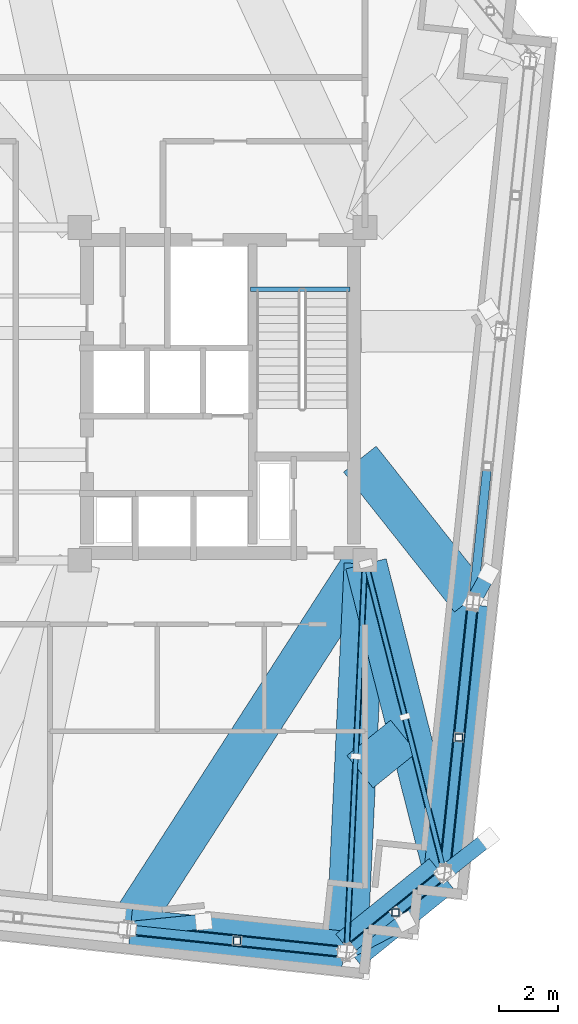
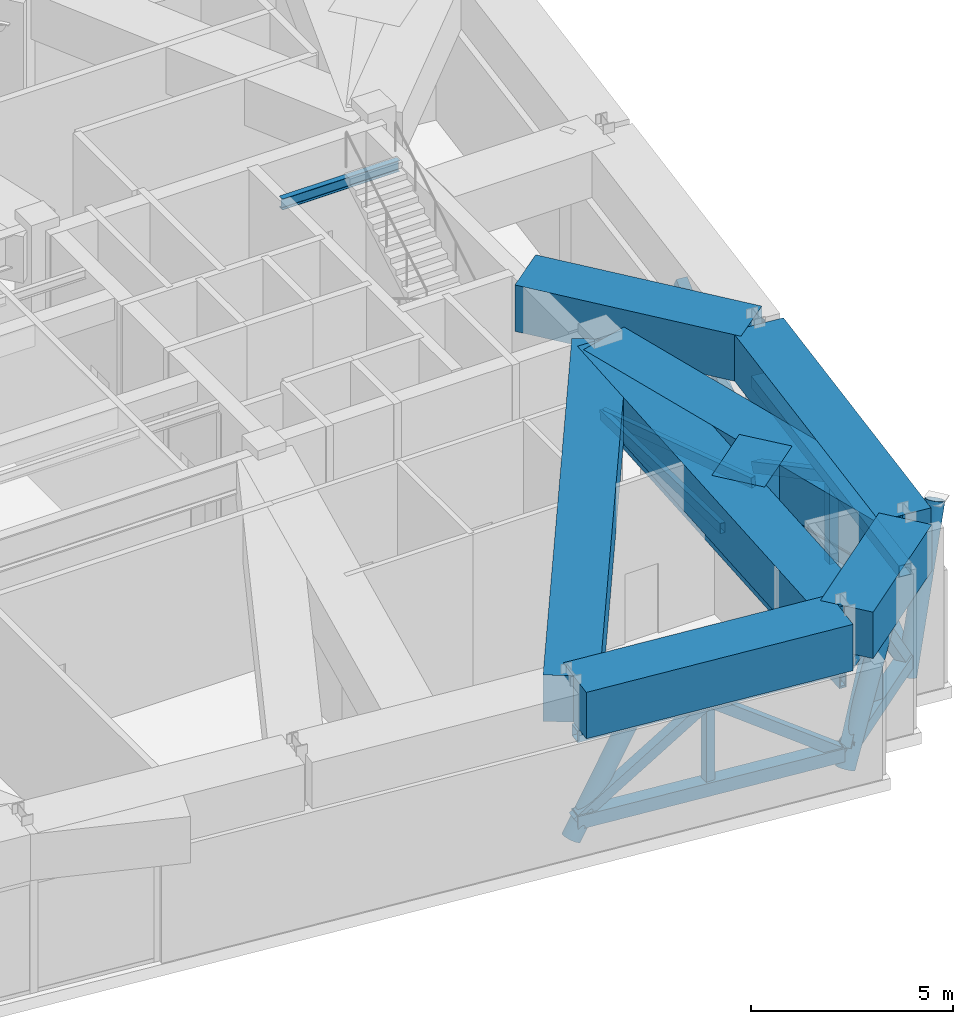
# One storey, part 9 of 21: 26 members, 9 beams.
"""IFC4 building model written with IfcOpenShell, lengths in metres."""

from ifc_helpers import new_model, si_unit, direction, frame, origin, origin_2d, place, context, subcontext, project, spatial, rectangle, hollow_rectangle, hollow_circle, i_section, extrude, material, material_profile, profile_set, type_object, element, save


model = new_model("IFC4")

# Units and contexts
model_context = context("Model", 3, precision=1e-05, world=origin(), true_north=direction((0.0, 1.0)))
body_context = subcontext(model_context, "Body", "Model", "MODEL_VIEW")
ifc_project = project(units=[si_unit("LENGTHUNIT", "METRE"), si_unit("AREAUNIT", "SQUARE_METRE"), si_unit("VOLUMEUNIT", "CUBIC_METRE"), si_unit("PLANEANGLEUNIT", "RADIAN"), si_unit("MASSUNIT", "GRAM", prefix="KILO")], contexts=[model_context])

# Site, building, storey
site_placement = place(None, origin())
site = spatial("IfcSite", under=ifc_project, at=site_placement, CompositionType="ELEMENT")
building_placement = place(site_placement, origin())
building = spatial("IfcBuilding", under=site, at=building_placement, Name="Qobustan Lattice House", CompositionType="ELEMENT")
storey_placement = place(building_placement, frame((0.0, 0.0, 223.199951171875)))
storey = spatial("IfcBuildingStorey", under=building, at=storey_placement, Name="L63", CompositionType="ELEMENT", Elevation=223.199951171875)

# Beams
ifc_material_1 = material(Name="Steel S355", Category="steel")
ifc_material_profile_1 = material_profile(ifc_material_1, i_section(OverallWidth=0.159912109375, OverallDepth=0.330078125, WebThickness=0.007568359375, FlangeThickness=0.011474609375, FilletRadius=0.01806640625, at=origin_2d()), Name="IPE330")
ifc_profile_set_1 = profile_set([ifc_material_profile_1], Name="Steel S355")
beam_type_1 = type_object("IfcBeamType", Name="BM-SPD-IPE330", PredefinedType="SPANDREL", material=ifc_profile_set_1)
beam_1_placement = place(storey_placement, frame((14.949951171875, 3.52001953125, 4.655029296875), z_axis=(1.0, 0.0, 0.0), x_axis=(0.0, 1.0, 0.0)))
element("IfcBeam", 1, at=beam_1_placement, inside=storey, type_object=beam_type_1, Name="L63 east stair landing trimmer beam", PredefinedType="SPANDREL", context=body_context, shape_type="SweptSolid", body=[
    extrude(i_section(OverallWidth=0.159912109375, OverallDepth=0.330078125, WebThickness=0.007568359375, FlangeThickness=0.011474609375, FilletRadius=0.01806640625, at=origin_2d()), origin(), (0.0, 0.0, 1.0), 3.35009765625),
])
ifc_material_2 = material(Name="Concrete C60/75", Category="concrete")
ifc_material_profile_2 = material_profile(ifc_material_2, rectangle(XDim=1.39990234375, YDim=1.39990234375, at=origin_2d()), Name="RC1400x1400")
ifc_profile_set_2 = profile_set([ifc_material_profile_2], Name="Concrete C60/75")
beam_type_2 = type_object("IfcBeamType", Name="BM-TRG-RC1400", PredefinedType="USERDEFINED", material=ifc_profile_set_2)
beam_2_placement = place(storey_placement, frame((10.900634765625, -18.019287109375, 4.1201171875), z_axis=(0.994524899383, -0.104499878026, 0.0), x_axis=(0.104499878026, 0.994524899383, 0.0)))
element("IfcBeam", 2, at=beam_2_placement, inside=storey, type_object=beam_type_2, Name="L63 TT4 lower perimeter transfer girder S6-S7", ObjectType="GIRDER", PredefinedType="USERDEFINED", context=body_context, shape_type="SweptSolid", body=[
    extrude(rectangle(XDim=1.39990234375, YDim=1.39990234375, at=origin_2d()), origin(), (0.0, 0.0, 1.0), 7.216796875),
])
beam_3_placement = place(storey_placement, frame((18.2548828125, -18.72119140625, 4.1201171875), z_axis=(0.777149231634, 0.629316352697, 0.0), x_axis=(-0.629316352697, 0.777149231634, 0.0)))
element("IfcBeam", 3, at=beam_3_placement, inside=storey, type_object=beam_type_2, Name="L63 TT4 lower perimeter transfer girder S7-E1", ObjectType="GIRDER", PredefinedType="USERDEFINED", context=body_context, shape_type="SweptSolid", body=[
    extrude(rectangle(XDim=1.39990234375, YDim=1.39990234375, at=origin_2d()), origin(), (0.0, 0.0, 1.0), 4.042724609375),
])
beam_4_placement = place(storey_placement, frame((21.48486328125, -16.014404296875, 4.1201171875), z_axis=(0.104530289377, 0.994521703435, 0.0), x_axis=(-0.994521703435, 0.104530289377, 0.0)))
element("IfcBeam", 4, at=beam_4_placement, inside=storey, type_object=beam_type_2, Name="L63 TT4 lower perimeter transfer girder E1-E2", ObjectType="GIRDER", PredefinedType="USERDEFINED", context=body_context, shape_type="SweptSolid", body=[
    extrude(rectangle(XDim=1.39990234375, YDim=1.39990234375, at=origin_2d()), origin(), (0.0, 0.0, 1.0), 8.96630859375),
])
beam_5_placement = place(storey_placement, frame((18.735107421875, -5.700927734375, 4.1201171875), z_axis=(-0.541813241277, -0.840498906351, 0.0), x_axis=(0.840498906351, -0.541813241277, 0.0)))
element("IfcBeam", 5, at=beam_5_placement, inside=storey, type_object=beam_type_2, Name="L63 TT4 radial transfer girder S6", ObjectType="GIRDER", PredefinedType="USERDEFINED", context=body_context, shape_type="SweptSolid", body=[
    extrude(rectangle(XDim=1.39990234375, YDim=1.39990234375, at=origin_2d()), origin(), (0.0, 0.0, 1.0), 14.523193359375),
])
beam_6_placement = place(storey_placement, frame((18.794189453125, -5.719970703125, 4.1201171875), z_axis=(-0.047156969966, -0.998887491254, 0.0), x_axis=(0.998887491254, -0.047156969966, 0.0)))
element("IfcBeam", 6, at=beam_6_placement, inside=storey, type_object=beam_type_2, Name="L63 TT4 radial transfer girder S7", ObjectType="GIRDER", PredefinedType="USERDEFINED", context=body_context, shape_type="SweptSolid", body=[
    extrude(rectangle(XDim=1.39990234375, YDim=1.39990234375, at=origin_2d()), origin(), (0.0, 0.0, 1.0), 12.95849609375),
])
beam_7_placement = place(storey_placement, frame((18.82958984375, -5.71630859375, 4.1201171875), z_axis=(0.246513450318, -0.969139370169, 0.0), x_axis=(0.969139370169, 0.246513450318, 0.0)))
element("IfcBeam", 7, at=beam_7_placement, inside=storey, type_object=beam_type_2, Name="L63 TT4 radial transfer girder E1", ObjectType="GIRDER", PredefinedType="USERDEFINED", context=body_context, shape_type="SweptSolid", body=[
    extrude(rectangle(XDim=1.39990234375, YDim=1.39990234375, at=origin_2d()), origin(), (0.0, 0.0, 1.0), 10.60888671875),
])
beam_8_placement = place(storey_placement, frame((18.62451171875, -2.194091796875, 4.1201171875), z_axis=(0.62124593698, -0.783615649273, 0.0), x_axis=(0.783615649273, 0.62124593698, 0.0)))
element("IfcBeam", 8, at=beam_8_placement, inside=storey, type_object=beam_type_2, Name="L63 TT4 radial transfer girder E2", ObjectType="GIRDER", PredefinedType="USERDEFINED", context=body_context, shape_type="SweptSolid", body=[
    extrude(rectangle(XDim=1.39990234375, YDim=1.39990234375, at=origin_2d()), origin(), (0.0, 0.0, 1.0), 6.010009765625),
])
beam_9_placement = place(storey_placement, frame((18.62841796875, -12.712646484375, 4.1201171875), z_axis=(0.777181804942, 0.629276125455, 0.0), x_axis=(-0.629276125455, 0.777181804942, 0.0)))
element("IfcBeam", 9, at=beam_9_placement, inside=storey, type_object=beam_type_2, Name="L63 TT4 quadrant transfer tie girder 4", ObjectType="GIRDER", PredefinedType="USERDEFINED", context=body_context, shape_type="SweptSolid", body=[
    extrude(rectangle(XDim=1.39990234375, YDim=1.39990234375, at=origin_2d()), origin(), (0.0, 0.0, 1.0), 1.893310546875),
])

# Members
ifc_material_3 = material(Name="Steel S355", Category="steel")
ifc_material_profile_3 = material_profile(ifc_material_3, hollow_rectangle(XDim=0.14990234375, YDim=0.300048828125, WallThickness=0.012451171875, at=origin_2d()), Name="RHS300x150x12.5")
ifc_profile_set_3 = profile_set([ifc_material_profile_3], Name="Steel S355")
member_type_1 = type_object("IfcMemberType", Name="MEM-BRC-RHS300", PredefinedType="BRACE", material=ifc_profile_set_3)
member_1_placement = place(storey_placement, frame((18.82958984375, -5.71630859375, 2.550048828125), z_axis=(0.245007529877, -0.96319614434, 0.110564451029), x_axis=(0.969137971659, 0.246518948338, 0.0)))
element("IfcMember", 10, at=member_1_placement, inside=storey, type_object=member_type_1, Name="L63 TT4 outrigger diagonal OUT-ES-1", PredefinedType="BRACE", context=body_context, shape_type="SweptSolid", body=[
    extrude(hollow_rectangle(XDim=0.14990234375, YDim=0.300048828125, WallThickness=0.012451171875, at=origin_2d()), origin(), (0.0, 0.0, 1.0), 5.337158203125),
])
member_2_placement = place(storey_placement, frame((20.13720703125, -10.85693359375, 3.14013671875), z_axis=(0.244996735076, -0.963199449308, -0.110559579664), x_axis=(0.969140768587, 0.246507952536, 0.0)))
element("IfcMember", 11, at=member_2_placement, inside=storey, type_object=member_type_1, Name="L63 TT4 outrigger diagonal OUT-ES-2", PredefinedType="BRACE", context=body_context, shape_type="SweptSolid", body=[
    extrude(hollow_rectangle(XDim=0.14990234375, YDim=0.300048828125, WallThickness=0.012451171875, at=origin_2d()), origin(), (0.0, 0.0, 1.0), 5.33740234375),
])
member_3_placement = place(storey_placement, frame((18.794189453125, -5.719970703125, 2.550048828125), z_axis=(-0.046982207557, -0.994769441004, 0.09069967705), x_axis=(0.99888656169, -0.04717665605, 0.0)))
element("IfcMember", 12, at=member_3_placement, inside=storey, type_object=member_type_1, Name="L63 TT4 outrigger diagonal OUT-EN-1", PredefinedType="BRACE", context=body_context, shape_type="SweptSolid", body=[
    extrude(hollow_rectangle(XDim=0.14990234375, YDim=0.300048828125, WallThickness=0.012451171875, at=origin_2d()), origin(), (0.0, 0.0, 1.0), 6.505859375),
])
member_4_placement = place(storey_placement, frame((18.488525390625, -12.19189453125, 3.14013671875), z_axis=(-0.046943012202, -0.994771585511, -0.090696451233), x_axis=(0.998888420397, -0.047137284569, 0.0)))
element("IfcMember", 13, at=member_4_placement, inside=storey, type_object=member_type_1, Name="L63 TT4 outrigger diagonal OUT-EN-2", PredefinedType="BRACE", context=body_context, shape_type="SweptSolid", body=[
    extrude(hollow_rectangle(XDim=0.14990234375, YDim=0.300048828125, WallThickness=0.012451171875, at=origin_2d()), origin(), (0.0, 0.0, 1.0), 6.506103515625),
])
ifc_material_4 = material(Name="Steel S355", Category="steel")
ifc_material_profile_4 = material_profile(ifc_material_4, hollow_rectangle(XDim=0.300048828125, YDim=0.300048828125, WallThickness=0.01611328125, at=origin_2d()), Name="SHS300x300x16")
ifc_profile_set_4 = profile_set([ifc_material_profile_4], Name="Steel S355")
member_type_2 = type_object("IfcMemberType", Name="MEM-BRC-SHS300", PredefinedType="BRACE", material=ifc_profile_set_4)
for number, where, z_axis, x_axis, name in (
    (14, (10.900634765625, -18.019287109375, 0.550048828125), (0.807935700731, -0.084866502614, 0.583127413365), (0.104466417597, 0.994528414674, 0.0), "L63 TT4 belt truss web diagonal S6-S7 A"),
    (15, (14.4892578125, -18.396240234375, 3.14013671875), (0.807931930746, -0.084921071706, -0.583124692379), (0.104533338099, 0.994521382991, 0.0), "L63 TT4 belt truss web diagonal S6-S7 B"),
):
    element("IfcMember", number, at=place(storey_placement, frame(where, z_axis=z_axis, x_axis=x_axis)), inside=storey, type_object=member_type_2, Name=name, PredefinedType="BRACE", context=body_context, shape_type="SweptSolid", body=[
        extrude(hollow_rectangle(XDim=0.300048828125, YDim=0.300048828125, WallThickness=0.01611328125, at=origin_2d()), origin(), (0.0, 0.0, 1.0), 4.441650390625),
    ])
for number, where, z_axis, x_axis, name in (
    (16, (18.2548828125, -18.72119140625, 0.550048828125), (0.47810107863, 0.387221747084, 0.78833918918), (-0.629382358496, 0.777095777118, 0.0), "L63 TT4 belt truss web diagonal S7-E1 A"),
    (17, (19.82568359375, -17.448974609375, 3.14013671875), (0.478172155381, 0.387144821995, -0.788333861141), (-0.629250343536, 0.777202679588, 0.0), "L63 TT4 belt truss web diagonal S7-E1 B"),
):
    element("IfcMember", number, at=place(storey_placement, frame(where, z_axis=z_axis, x_axis=x_axis)), inside=storey, type_object=member_type_2, Name=name, PredefinedType="BRACE", context=body_context, shape_type="SweptSolid", body=[
        extrude(hollow_rectangle(XDim=0.300048828125, YDim=0.300048828125, WallThickness=0.01611328125, at=origin_2d()), origin(), (0.0, 0.0, 1.0), 3.285400390625),
    ])
member_5_placement = place(storey_placement, frame((21.48486328125, -16.014404296875, 0.550048828125), z_axis=(0.090536035422, 0.861129728582, 0.500258749892), x_axis=(-0.994518574786, 0.10456005167, 0.0)))
element("IfcMember", 18, at=member_5_placement, inside=storey, type_object=member_type_2, Name="L63 TT4 belt truss web diagonal E1-E2 A", PredefinedType="BRACE", context=body_context, shape_type="SweptSolid", body=[
    extrude(hollow_rectangle(XDim=0.300048828125, YDim=0.300048828125, WallThickness=0.01611328125, at=origin_2d()), origin(), (0.0, 0.0, 1.0), 5.177490234375),
])
for number, where, z_axis, x_axis, name in (
    (19, (21.95361328125, -11.555908203125, 3.14013671875), (0.090485593146, 0.861145590216, -0.500240572009), (-0.994524831041, 0.104500528433, 0.0), "L63 TT4 belt truss web diagonal E1-E2 B"),
    (20, (22.443115234375, -6.898193359375, 0.550048828125), (0.090485593146, 0.861145590216, 0.500240572009), (-0.994524831041, 0.104500528433, 0.0), "L63 TT4 belt truss web diagonal E2-E3 A"),
):
    element("IfcMember", number, at=place(storey_placement, frame(where, z_axis=z_axis, x_axis=x_axis)), inside=storey, type_object=member_type_2, Name=name, PredefinedType="BRACE", context=body_context, shape_type="SweptSolid", body=[
        extrude(hollow_rectangle(XDim=0.300048828125, YDim=0.300048828125, WallThickness=0.01611328125, at=origin_2d()), origin(), (0.0, 0.0, 1.0), 5.177734375),
    ])
ifc_material_5 = material(Name="Steel S355", Category="steel")
ifc_material_profile_5 = material_profile(ifc_material_5, hollow_rectangle(XDim=0.199951171875, YDim=0.39990234375, WallThickness=0.01611328125, at=origin_2d()), Name="RHS400x200x16")
ifc_profile_set_5 = profile_set([ifc_material_profile_5], Name="Steel S355")
member_type_3 = type_object("IfcMemberType", Name="MEM-CHD-RHS400", PredefinedType="CHORD", material=ifc_profile_set_5)
member_6_placement = place(storey_placement, frame((18.82958984375, -5.71630859375, 2.550048828125), z_axis=(0.246513450318, -0.969139370169, 0.0), x_axis=(0.969139370169, 0.246513450318, 0.0)))
element("IfcMember", 21, at=member_6_placement, inside=storey, type_object=member_type_3, Name="L63 TT4 outrigger chord OUT-ES", PredefinedType="CHORD", context=body_context, shape_type="SweptSolid", body=[
    extrude(hollow_rectangle(XDim=0.199951171875, YDim=0.39990234375, WallThickness=0.01611328125, at=origin_2d()), origin(), (0.0, 0.0, 1.0), 10.60888671875),
])
member_7_placement = place(storey_placement, frame((18.794189453125, -5.719970703125, 2.550048828125), z_axis=(-0.047156969966, -0.998887491254, 0.0), x_axis=(0.998887491254, -0.047156969966, 0.0)))
element("IfcMember", 22, at=member_7_placement, inside=storey, type_object=member_type_3, Name="L63 TT4 outrigger chord OUT-EN", PredefinedType="CHORD", context=body_context, shape_type="SweptSolid", body=[
    extrude(hollow_rectangle(XDim=0.199951171875, YDim=0.39990234375, WallThickness=0.01611328125, at=origin_2d()), origin(), (0.0, 0.0, 1.0), 12.95849609375),
])
ifc_material_6 = material(Name="Steel S355", Category="steel")
ifc_material_profile_6 = material_profile(ifc_material_6, hollow_rectangle(XDim=0.35009765625, YDim=0.35009765625, WallThickness=0.01611328125, at=origin_2d()), Name="SHS350x350x16")
ifc_profile_set_6 = profile_set([ifc_material_profile_6], Name="Steel S355")
member_type_4 = type_object("IfcMemberType", Name="MEM-CHD-SHS350", PredefinedType="CHORD", material=ifc_profile_set_6)
member_8_placement = place(storey_placement, frame((10.900634765625, -18.019287109375, 3.14013671875), z_axis=(0.994524899383, -0.104499878026, 0.0), x_axis=(0.104499878026, 0.994524899383, 0.0)))
element("IfcMember", 23, at=member_8_placement, inside=storey, type_object=member_type_4, Name="L63 TT4 belt truss top chord S6-S7", PredefinedType="CHORD", context=body_context, shape_type="SweptSolid", body=[
    extrude(hollow_rectangle(XDim=0.35009765625, YDim=0.35009765625, WallThickness=0.01611328125, at=origin_2d()), origin(), (0.0, 0.0, 1.0), 7.216796875),
])
member_9_placement = place(storey_placement, frame((18.2548828125, -18.72119140625, 3.14013671875), z_axis=(0.777149231634, 0.629316352697, 0.0), x_axis=(-0.629316352697, 0.777149231634, 0.0)))
element("IfcMember", 24, at=member_9_placement, inside=storey, type_object=member_type_4, Name="L63 TT4 belt truss top chord S7-E1", PredefinedType="CHORD", context=body_context, shape_type="SweptSolid", body=[
    extrude(hollow_rectangle(XDim=0.35009765625, YDim=0.35009765625, WallThickness=0.01611328125, at=origin_2d()), origin(), (0.0, 0.0, 1.0), 4.042724609375),
])
member_10_placement = place(storey_placement, frame((21.48486328125, -16.014404296875, 3.14013671875), z_axis=(0.104530289377, 0.994521703435, 0.0), x_axis=(-0.994521703435, 0.104530289377, 0.0)))
element("IfcMember", 25, at=member_10_placement, inside=storey, type_object=member_type_4, Name="L63 TT4 belt truss top chord E1-E2", PredefinedType="CHORD", context=body_context, shape_type="SweptSolid", body=[
    extrude(hollow_rectangle(XDim=0.35009765625, YDim=0.35009765625, WallThickness=0.01611328125, at=origin_2d()), origin(), (0.0, 0.0, 1.0), 8.96630859375),
])
ifc_material_7 = material(Name="Steel S355", Category="steel")
ifc_material_profile_7 = material_profile(ifc_material_7, hollow_rectangle(XDim=0.39990234375, YDim=0.39990234375, WallThickness=0.02001953125, at=origin_2d()), Name="SHS400x400x20")
ifc_profile_set_7 = profile_set([ifc_material_profile_7], Name="Steel S355")
member_type_5 = type_object("IfcMemberType", Name="MEM-CHD-SHS400", PredefinedType="CHORD", material=ifc_profile_set_7)
member_11_placement = place(storey_placement, frame((10.900634765625, -18.019287109375, 0.550048828125), z_axis=(0.994524899383, -0.104499878026, 0.0), x_axis=(0.104499878026, 0.994524899383, 0.0)))
element("IfcMember", 26, at=member_11_placement, inside=storey, type_object=member_type_5, Name="L63 TT4 belt truss bottom chord S6-S7", PredefinedType="CHORD", context=body_context, shape_type="SweptSolid", body=[
    extrude(hollow_rectangle(XDim=0.39990234375, YDim=0.39990234375, WallThickness=0.02001953125, at=origin_2d()), origin(), (0.0, 0.0, 1.0), 7.216796875),
])
member_12_placement = place(storey_placement, frame((18.2548828125, -18.72119140625, 0.550048828125), z_axis=(0.777149231634, 0.629316352697, 0.0), x_axis=(-0.629316352697, 0.777149231634, 0.0)))
element("IfcMember", 27, at=member_12_placement, inside=storey, type_object=member_type_5, Name="L63 TT4 belt truss bottom chord S7-E1", PredefinedType="CHORD", context=body_context, shape_type="SweptSolid", body=[
    extrude(hollow_rectangle(XDim=0.39990234375, YDim=0.39990234375, WallThickness=0.02001953125, at=origin_2d()), origin(), (0.0, 0.0, 1.0), 4.042724609375),
])
member_13_placement = place(storey_placement, frame((21.48486328125, -16.014404296875, 0.550048828125), z_axis=(0.104530289377, 0.994521703435, 0.0), x_axis=(-0.994521703435, 0.104530289377, 0.0)))
element("IfcMember", 28, at=member_13_placement, inside=storey, type_object=member_type_5, Name="L63 TT4 belt truss bottom chord E1-E2", PredefinedType="CHORD", context=body_context, shape_type="SweptSolid", body=[
    extrude(hollow_rectangle(XDim=0.39990234375, YDim=0.39990234375, WallThickness=0.02001953125, at=origin_2d()), origin(), (0.0, 0.0, 1.0), 8.96630859375),
])
ifc_material_8 = material(Name="Steel S355", Category="steel")
ifc_material_profile_8 = material_profile(ifc_material_8, hollow_rectangle(XDim=0.25, YDim=0.25, WallThickness=0.012451171875, at=origin_2d()), Name="SHS250x250x12.5")
ifc_profile_set_8 = profile_set([ifc_material_profile_8], Name="Steel S355")
member_type_6 = type_object("IfcMemberType", Name="MEM-PST-SHS250", PredefinedType="POST", material=ifc_profile_set_8)
for number, where, z_axis, x_axis, name in (
    (29, (14.4892578125, -18.396240234375, 0.550048828125), (0.0, 0.0, 1.0), (1.0, 0.0, 0.0), "L63 TT4 belt truss vertical post S6-S7"),
    (30, (19.82568359375, -17.448974609375, 0.550048828125), (0.0, 0.0, 1.0), (1.0, 0.0, 0.0), "L63 TT4 belt truss vertical post S7-E1"),
    (31, (21.95361328125, -11.555908203125, 0.550048828125), (0.0, 0.0, 1.0), (1.0, 0.0, 0.0), "L63 TT4 belt truss vertical post E1-E2"),
):
    element("IfcMember", number, at=place(storey_placement, frame(where, z_axis=z_axis, x_axis=x_axis)), inside=storey, type_object=member_type_6, Name=name, PredefinedType="POST", context=body_context, shape_type="SweptSolid", body=[
        extrude(hollow_rectangle(XDim=0.25, YDim=0.25, WallThickness=0.012451171875, at=origin_2d()), origin(), (0.0, 0.0, 1.0), 2.590087890625),
    ])
ifc_material_9 = material(Name="Steel S355", Category="steel")
ifc_material_profile_9 = material_profile(ifc_material_9, hollow_circle(Radius=0.25390625, WallThickness=0.02001953125, at=origin_2d()), Name="CHS508x20")
ifc_profile_set_9 = profile_set([ifc_material_profile_9], Name="Steel S355")
member_type_7 = type_object("IfcMemberType", Name="MEM-STR-CHS508", PredefinedType="STRUT", material=ifc_profile_set_9)
member_14_placement = place(storey_placement, frame((10.80126953125, -18.0087890625, 0.01513671875), z_axis=(0.529216002959, 0.053384941296, 0.846806040517), x_axis=(-0.10036615938, 0.994950568647, 0.0)))
element("IfcMember", 32, at=member_14_placement, inside=storey, type_object=member_type_7, Name="L63 TT4 column transfer strut S6", PredefinedType="STRUT", context=body_context, shape_type="SweptSolid", body=[
    extrude(hollow_circle(Radius=0.25390625, WallThickness=0.02001953125, at=origin_2d()), origin(), (0.0, 0.0, 1.0), 4.84765625),
])
member_15_placement = place(storey_placement, frame((18.17724609375, -18.783935546875, 0.01513671875), z_axis=(0.422387478247, 0.221387496334, 0.878963249907), x_axis=(-0.464232262225, 0.885713501483, 0.0)))
element("IfcMember", 33, at=member_15_placement, inside=storey, type_object=member_type_7, Name="L63 TT4 column transfer strut S7", PredefinedType="STRUT", context=body_context, shape_type="SweptSolid", body=[
    extrude(hollow_circle(Radius=0.25390625, WallThickness=0.02001953125, at=origin_2d()), origin(), (0.0, 0.0, 1.0), 4.670166015625),
])
member_16_placement = place(storey_placement, frame((21.474365234375, -16.114013671875, 0.01513671875), z_axis=(0.326834343422, 0.257833578663, 0.90923108046), x_axis=(-0.619357849119, 0.78510881713, 0.0)))
element("IfcMember", 34, at=member_16_placement, inside=storey, type_object=member_type_7, Name="L63 TT4 column transfer strut E1", PredefinedType="STRUT", context=body_context, shape_type="SweptSolid", body=[
    extrude(hollow_circle(Radius=0.25390625, WallThickness=0.02001953125, at=origin_2d()), origin(), (0.0, 0.0, 1.0), 4.514892578125),
])
member_17_placement = place(storey_placement, frame((22.4326171875, -6.99755859375, 0.01513671875), z_axis=(0.121881705129, 0.223229305147, 0.967116087798), x_axis=(-0.877696713803, 0.479216525779, 0.0)))
element("IfcMember", 35, at=member_17_placement, inside=storey, type_object=member_type_7, Name="L63 TT4 column transfer strut E2", PredefinedType="STRUT", context=body_context, shape_type="SweptSolid", body=[
    extrude(hollow_circle(Radius=0.25390625, WallThickness=0.02001953125, at=origin_2d()), origin(), (0.0, 0.0, 1.0), 4.24462890625),
])

save(model, "model.ifc")
